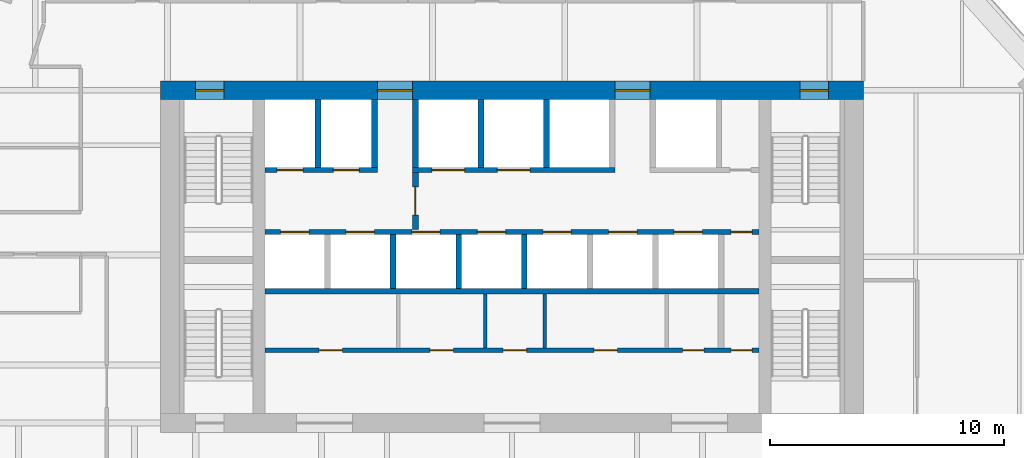
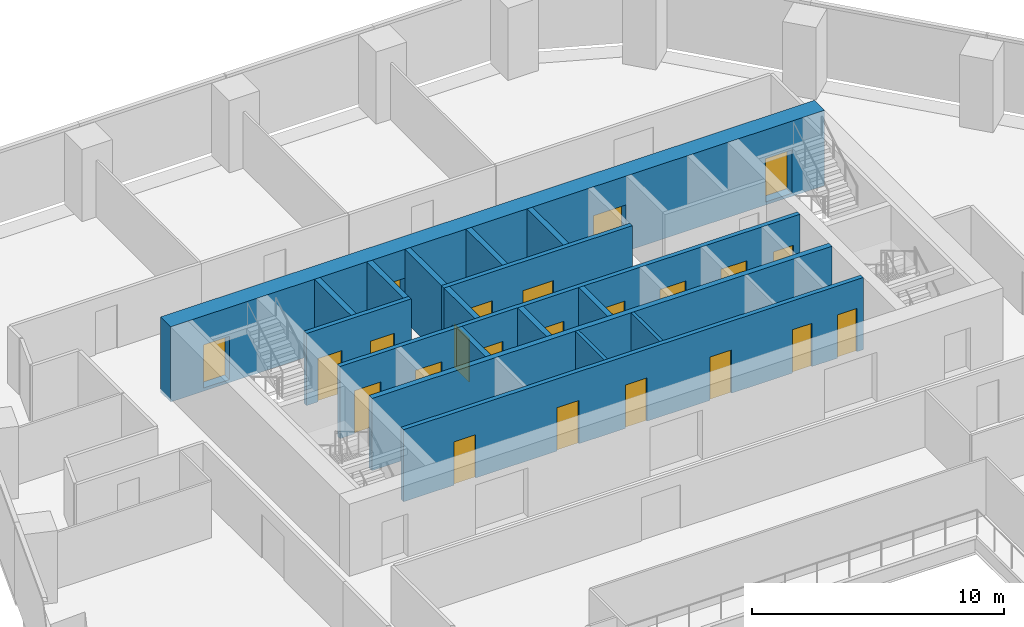
# One storey, part 12 of 16: 23 doors, 17 walls, 23 openings.
"""IFC4 building model written with IfcOpenShell, lengths in metres."""

from ifc_helpers import new_model, si_unit, direction, frame, frame_2d, origin, place, context, subcontext, project, spatial, rectangle, extrude, material, layer, layer_set, type_object, element, fill, save


model = new_model("IFC4")

# Units and contexts
model_context = context("Model", 3, precision=1e-05, world=origin(), true_north=direction((0.0, 1.0)))
body_context = subcontext(model_context, "Body", "Model", "MODEL_VIEW")
ifc_project = project(units=[si_unit("LENGTHUNIT", "METRE"), si_unit("AREAUNIT", "SQUARE_METRE"), si_unit("VOLUMEUNIT", "CUBIC_METRE"), si_unit("PLANEANGLEUNIT", "RADIAN"), si_unit("MASSUNIT", "GRAM", prefix="KILO")], contexts=[model_context])

# Site, building, storey
site_placement = place(None, origin())
site = spatial("IfcSite", under=ifc_project, at=site_placement, CompositionType="ELEMENT")
building_placement = place(site_placement, origin())
building = spatial("IfcBuilding", under=site, at=building_placement, Name="Isthmus Gate Tower", CompositionType="ELEMENT")
storey_placement = place(building_placement, frame((0.0, 0.0, 148.050048828125)))
storey = spatial("IfcBuildingStorey", under=building, at=storey_placement, Name="L36", CompositionType="ELEMENT", Elevation=148.050048828125)

# Wall, opening, door
ifc_material_1 = material(Name="Fire-rated blockwork masonry, 15 MPa", Category="masonry")
ifc_layer_1 = layer(ifc_material_1, 0.25)
ifc_layer_set_1 = layer_set([ifc_layer_1], Name="FIRE-FIGHTING LOBBY WALL 250 90 MIN")
wall_type_1 = type_object("IfcWallType", Name="FIRE-FIGHTING LOBBY WALL 250 90 MIN", PredefinedType="PARTITIONING", material=ifc_layer_set_1)
wall_1_placement = place(storey_placement, frame((-4.125, 8.64990234375, 0.0), z_axis=(0.0, 0.0, 1.0), x_axis=(0.0, 1.0, 0.0)))
wall_1 = element("IfcWall", 1, at=wall_1_placement, inside=storey, type_object=wall_type_1, Name="L36 FIRE-FIGHTING LOBBY WALL 250 90 MIN", PredefinedType="PARTITIONING", context=body_context, shape_type="SweptSolid", body=[
    extrude(rectangle(XDim=2.4501953125, YDim=0.25, at=frame_2d((1.22509765625, 0.0))), origin(), (0.0, 0.0, 1.0), 3.5),
])
opening_1_placement = place(wall_1_placement, frame((0.625, 0.0, 0.0)))
opening_1 = element("IfcOpeningElement", 2, at=opening_1_placement, cuts=wall_1, Name="Opening DC-A11-01", PredefinedType="OPENING", context=body_context, shape_type="SweptSolid", body=[
    extrude(rectangle(XDim=1.199951171875, YDim=2.10009765625, at=frame_2d((0.60009765625, 1.050048828125))), frame((0.0, 0.135009765625, 0.0), z_axis=(0.0, -1.0, 0.0), x_axis=(1.0, 0.0, 0.0)), (0.0, 0.0, 1.0), 0.27001953125),
])
ifc_material_2 = material(Name="Steel door leaf, fire-rated", Category="steel")
door_type_1 = type_object("IfcDoorType", Name="LOBBY FIRE DOOR 1200 X 2100 90 MIN", OperationType="DOUBLE_DOOR_SINGLE_SWING", PredefinedType="DOOR", material=ifc_material_2)
door_1_placement = place(opening_1_placement, origin())
door_1 = element("IfcDoor", 3, at=door_1_placement, inside=storey, type_object=door_type_1, Name="Fire-fighting Lobby Door", OperationType="SINGLE_SWING_LEFT", OverallHeight=2.10009765625, OverallWidth=1.199951171875, PredefinedType="DOOR", context=body_context, shape_type="SweptSolid", body=[
    extrude(rectangle(XDim=1.199951171875, YDim=2.10009765625, at=frame_2d((0.60009765625, 1.050048828125))), frame((0.0, 0.02490234375, 0.0), z_axis=(0.0, -1.0, 0.0), x_axis=(1.0, 0.0, 0.0)), (0.0, 0.0, 1.0), 0.050048828125),
])
fill(opening_1, door_1)

# Wall, openings, doors
ifc_material_3 = material(Name="Concrete f'c 60 MPa", Category="concrete")
ifc_layer_2 = layer(ifc_material_3, 0.800048828125)
ifc_layer_set_2 = layer_set([ifc_layer_2], Name="RC CORE WALL 800 F'C 60")
wall_type_2 = type_object("IfcWallType", Name="RC CORE WALL 800 F'C 60", PredefinedType="SOLIDWALL", material=ifc_layer_set_2)
wall_2_placement = place(storey_placement, frame((-15.0, 14.60009765625, -0.150146484375), z_axis=(0.0, 0.0, 1.0), x_axis=(1.0, 0.0, 0.0)))
wall_2 = element("IfcWall", 4, at=wall_2_placement, inside=storey, type_object=wall_type_2, Name="str-corewall-L36-N", PredefinedType="SOLIDWALL", context=body_context, shape_type="SweptSolid", body=[
    extrude(rectangle(XDim=30.0, YDim=0.800048828125, at=frame_2d((15.0, 0.0))), origin(), (0.0, 0.0, 1.0), 3.650146484375),
])
opening_2_placement = place(wall_2_placement, frame((9.25, 0.0, 0.14990234375)))
opening_2 = element("IfcOpeningElement", 5, at=opening_2_placement, cuts=wall_2, Name="Opening DC-A11-13", PredefinedType="OPENING", context=body_context, shape_type="SweptSolid", body=[
    extrude(rectangle(XDim=1.5, YDim=2.10009765625, at=frame_2d((0.75, 1.050048828125))), frame((0.0, 0.409912109375, 0.0), z_axis=(0.0, -1.0, 0.0), x_axis=(1.0, 0.0, 0.0)), (0.0, 0.0, 1.0), 0.820068359375),
])
opening_3_placement = place(wall_2_placement, frame((19.39990234375, 0.0, 0.14990234375)))
opening_3 = element("IfcOpeningElement", 6, at=opening_3_placement, cuts=wall_2, Name="Opening DC-A11-14", PredefinedType="OPENING", context=body_context, shape_type="SweptSolid", body=[
    extrude(rectangle(XDim=1.5, YDim=2.10009765625, at=frame_2d((0.75, 1.050048828125))), frame((0.0, 0.409912109375, 0.0), z_axis=(0.0, -1.0, 0.0), x_axis=(1.0, 0.0, 0.0)), (0.0, 0.0, 1.0), 0.820068359375),
])
opening_4_placement = place(wall_2_placement, frame((1.5, 0.0, 0.14990234375)))
opening_4 = element("IfcOpeningElement", 7, at=opening_4_placement, cuts=wall_2, Name="Opening DC-A11-15", PredefinedType="OPENING", context=body_context, shape_type="SweptSolid", body=[
    extrude(rectangle(XDim=1.199951171875, YDim=2.10009765625, at=frame_2d((0.60009765625, 1.050048828125))), frame((0.0, 0.409912109375, 0.0), z_axis=(0.0, -1.0, 0.0), x_axis=(1.0, 0.0, 0.0)), (0.0, 0.0, 1.0), 0.820068359375),
])
opening_5_placement = place(wall_2_placement, frame((27.300048828125, 0.0, 0.14990234375)))
opening_5 = element("IfcOpeningElement", 8, at=opening_5_placement, cuts=wall_2, Name="Opening DC-A11-16", PredefinedType="OPENING", context=body_context, shape_type="SweptSolid", body=[
    extrude(rectangle(XDim=1.199951171875, YDim=2.10009765625, at=frame_2d((0.60009765625, 1.050048828125))), frame((0.0, 0.409912109375, 0.0), z_axis=(0.0, -1.0, 0.0), x_axis=(1.0, 0.0, 0.0)), (0.0, 0.0, 1.0), 0.820068359375),
])
ifc_material_4 = material(Name="Steel door leaf, fire-rated", Category="steel")
door_type_2 = type_object("IfcDoorType", Name="LOBBY FIRE DOOR 1500 X 2100 60 MIN", OperationType="DOUBLE_DOOR_SINGLE_SWING", PredefinedType="DOOR", material=ifc_material_4)
door_2_placement = place(opening_3_placement, origin())
door_2 = element("IfcDoor", 9, at=door_2_placement, inside=storey, type_object=door_type_2, Name="Lobby Door PN-E", OperationType="DOUBLE_DOOR_SINGLE_SWING", OverallHeight=2.10009765625, OverallWidth=1.5, PredefinedType="DOOR", context=body_context, shape_type="SweptSolid", body=[
    extrude(rectangle(XDim=1.5, YDim=2.10009765625, at=frame_2d((0.75, 1.050048828125))), frame((0.0, 0.02490234375, 0.0), z_axis=(0.0, -1.0, 0.0), x_axis=(1.0, 0.0, 0.0)), (0.0, 0.0, 1.0), 0.050048828125),
])
fill(opening_3, door_2)
ifc_material_5 = material(Name="Steel door leaf, fire-rated", Category="steel")
door_type_3 = type_object("IfcDoorType", Name="LOBBY FIRE DOOR 1500 X 2100 90 MIN", OperationType="DOUBLE_DOOR_SINGLE_SWING", PredefinedType="DOOR", material=ifc_material_5)
door_3_placement = place(opening_2_placement, origin())
door_3 = element("IfcDoor", 10, at=door_3_placement, inside=storey, type_object=door_type_3, Name="Lobby Door PN-W", OperationType="DOUBLE_DOOR_SINGLE_SWING", OverallHeight=2.10009765625, OverallWidth=1.5, PredefinedType="DOOR", context=body_context, shape_type="SweptSolid", body=[
    extrude(rectangle(XDim=1.5, YDim=2.10009765625, at=frame_2d((0.75, 1.050048828125))), frame((0.0, 0.02490234375, 0.0), z_axis=(0.0, -1.0, 0.0), x_axis=(1.0, 0.0, 0.0)), (0.0, 0.0, 1.0), 0.050048828125),
])
fill(opening_2, door_3)
ifc_material_6 = material(Name="Steel door leaf, fire-rated", Category="steel")
door_type_4 = type_object("IfcDoorType", Name="STAIR FIRE DOOR 1200 X 2100 90 MIN", OperationType="SINGLE_SWING_LEFT", PredefinedType="DOOR", material=ifc_material_6)
door_4_placement = place(opening_4_placement, origin())
door_4 = element("IfcDoor", 11, at=door_4_placement, inside=storey, type_object=door_type_4, Name="Exit Stair 1 Door", OperationType="SINGLE_SWING_RIGHT", OverallHeight=2.10009765625, OverallWidth=1.199951171875, PredefinedType="DOOR", context=body_context, shape_type="SweptSolid", body=[
    extrude(rectangle(XDim=1.199951171875, YDim=2.10009765625, at=frame_2d((0.60009765625, 1.050048828125))), frame((0.0, 0.02490234375, 0.0), z_axis=(0.0, -1.0, 0.0), x_axis=(1.0, 0.0, 0.0)), (0.0, 0.0, 1.0), 0.050048828125),
])
fill(opening_4, door_4)
door_5_placement = place(opening_5_placement, origin())
door_5 = element("IfcDoor", 12, at=door_5_placement, inside=storey, type_object=door_type_4, Name="Exit Stair 2 Door", OperationType="SINGLE_SWING_LEFT", OverallHeight=2.10009765625, OverallWidth=1.199951171875, PredefinedType="DOOR", context=body_context, shape_type="SweptSolid", body=[
    extrude(rectangle(XDim=1.199951171875, YDim=2.10009765625, at=frame_2d((0.60009765625, 1.050048828125))), frame((0.0, 0.02490234375, 0.0), z_axis=(0.0, -1.0, 0.0), x_axis=(1.0, 0.0, 0.0)), (0.0, 0.0, 1.0), 0.050048828125),
])
fill(opening_5, door_5)

# Walls
ifc_material_7 = material(Name="Gypsum board on steel studs, fire-rated", Category="steel")
ifc_layer_3 = layer(ifc_material_7, 0.14990234375)
ifc_layer_set_3 = layer_set([ifc_layer_3], Name="ROOM PARTITION 150 60 MIN")
wall_type_3 = type_object("IfcWallType", Name="ROOM PARTITION 150 60 MIN", PredefinedType="PARTITIONING", material=ifc_layer_set_3)
for number, where, z_axis, x_axis, name in (
    (13, (-1.14990234375, 3.60009765625, 0.0), (0.0, 0.0, 1.0), (0.0, 1.0, 0.0), "L36 ROOM PARTITION 150 60 MIN"),
    (14, (1.39990234375, 3.60009765625, 0.0), (0.0, 0.0, 1.0), (0.0, 1.0, 0.0), "L36 ROOM PARTITION 150 60 MIN"),
):
    element("IfcWall", number, at=place(storey_placement, frame(where, z_axis=z_axis, x_axis=x_axis)), inside=storey, type_object=wall_type_3, Name=name, PredefinedType="PARTITIONING", context=body_context, shape_type="SweptSolid", body=[
        extrude(rectangle(XDim=2.2998046875, YDim=0.14990234375, at=frame_2d((1.14990234375, 0.0))), origin(), (0.0, 0.0, 1.0), 3.5),
    ])

# Wall, openings, doors
ifc_material_8 = material(Name="Fire-rated blockwork masonry, 15 MPa", Category="masonry")
ifc_layer_4 = layer(ifc_material_8, 0.199951171875)
ifc_layer_set_4 = layer_set([ifc_layer_4], Name="SHAFT FRONT WALL 200 120 MIN")
wall_type_4 = type_object("IfcWallType", Name="SHAFT FRONT WALL 200 120 MIN", PredefinedType="PARTITIONING", material=ifc_layer_set_4)
wall_3_placement = place(storey_placement, frame((-10.550048828125, 3.5, 0.0), z_axis=(0.0, 0.0, 1.0), x_axis=(1.0, 0.0, 0.0)))
wall_3 = element("IfcWall", 15, at=wall_3_placement, inside=storey, type_object=wall_type_4, Name="L36 SHAFT FRONT WALL 200 120 MIN", PredefinedType="PARTITIONING", context=body_context, shape_type="SweptSolid", body=[
    extrude(rectangle(XDim=21.10009765625, YDim=0.199951171875, at=frame_2d((10.550048828125, 0.0))), origin(), (0.0, 0.0, 1.0), 3.5),
])
opening_6_placement = place(wall_3_placement, frame((2.3125, 0.0, 0.0)))
opening_6 = element("IfcOpeningElement", 16, at=opening_6_placement, cuts=wall_3, Name="Opening DC-A11-02", PredefinedType="OPENING", context=body_context, shape_type="SweptSolid", body=[
    extrude(rectangle(XDim=1.0, YDim=2.10009765625, at=frame_2d((0.5, 1.050048828125))), frame((0.0, 0.10986328125, 0.0), z_axis=(0.0, -1.0, 0.0), x_axis=(1.0, 0.0, 0.0)), (0.0, 0.0, 1.0), 0.219970703125),
])
opening_7_placement = place(wall_3_placement, frame((7.050048828125, 0.0, 0.0)))
opening_7 = element("IfcOpeningElement", 17, at=opening_7_placement, cuts=wall_3, Name="Opening DC-A11-03", PredefinedType="OPENING", context=body_context, shape_type="SweptSolid", body=[
    extrude(rectangle(XDim=1.0, YDim=2.10009765625, at=frame_2d((0.5, 1.050048828125))), frame((0.0, 0.10986328125, 0.0), z_axis=(0.0, -1.0, 0.0), x_axis=(1.0, 0.0, 0.0)), (0.0, 0.0, 1.0), 0.219970703125),
])
opening_8_placement = place(wall_3_placement, frame((10.175048828125, 0.0, 0.0)))
opening_8 = element("IfcOpeningElement", 18, at=opening_8_placement, cuts=wall_3, Name="Opening DC-A11-04", PredefinedType="OPENING", context=body_context, shape_type="SweptSolid", body=[
    extrude(rectangle(XDim=1.0, YDim=2.10009765625, at=frame_2d((0.5, 1.050048828125))), frame((0.0, 0.10986328125, 0.0), z_axis=(0.0, -1.0, 0.0), x_axis=(1.0, 0.0, 0.0)), (0.0, 0.0, 1.0), 0.219970703125),
])
opening_9_placement = place(wall_3_placement, frame((14.050048828125, 0.0, 0.0)))
opening_9 = element("IfcOpeningElement", 19, at=opening_9_placement, cuts=wall_3, Name="Opening DC-A11-05", PredefinedType="OPENING", context=body_context, shape_type="SweptSolid", body=[
    extrude(rectangle(XDim=1.0, YDim=2.10009765625, at=frame_2d((0.5, 1.050048828125))), frame((0.0, 0.10986328125, 0.0), z_axis=(0.0, -1.0, 0.0), x_axis=(1.0, 0.0, 0.0)), (0.0, 0.0, 1.0), 0.219970703125),
])
opening_10_placement = place(wall_3_placement, frame((17.83740234375, 0.0, 0.0)))
opening_10 = element("IfcOpeningElement", 20, at=opening_10_placement, cuts=wall_3, Name="Opening DC-A11-06", PredefinedType="OPENING", context=body_context, shape_type="SweptSolid", body=[
    extrude(rectangle(XDim=0.89990234375, YDim=2.10009765625, at=frame_2d((0.449951171875, 1.050048828125))), frame((0.0, 0.10986328125, 0.0), z_axis=(0.0, -1.0, 0.0), x_axis=(1.0, 0.0, 0.0)), (0.0, 0.0, 1.0), 0.219970703125),
])
opening_11_placement = place(wall_3_placement, frame((19.89990234375, 0.0, 0.0)))
opening_11 = element("IfcOpeningElement", 21, at=opening_11_placement, cuts=wall_3, Name="Opening DC-A11-07", PredefinedType="OPENING", context=body_context, shape_type="SweptSolid", body=[
    extrude(rectangle(XDim=0.89990234375, YDim=2.10009765625, at=frame_2d((0.449951171875, 1.050048828125))), frame((0.0, 0.10986328125, 0.0), z_axis=(0.0, -1.0, 0.0), x_axis=(1.0, 0.0, 0.0)), (0.0, 0.0, 1.0), 0.219970703125),
])
ifc_material_9 = material(Name="Steel door leaf, fire-rated", Category="steel")
door_type_5 = type_object("IfcDoorType", Name="FIRE DOOR 1000 X 2100 60 MIN", OperationType="SINGLE_SWING_LEFT", PredefinedType="DOOR", material=ifc_material_9)
door_6_placement = place(opening_6_placement, origin())
door_6 = element("IfcDoor", 22, at=door_6_placement, inside=storey, type_object=door_type_5, Name="WC Women Door", OperationType="SINGLE_SWING_LEFT", OverallHeight=2.10009765625, OverallWidth=1.0, PredefinedType="DOOR", context=body_context, shape_type="SweptSolid", body=[
    extrude(rectangle(XDim=1.0, YDim=2.10009765625, at=frame_2d((0.5, 1.050048828125))), frame((0.0, 0.02490234375, 0.0), z_axis=(0.0, -1.0, 0.0), x_axis=(1.0, 0.0, 0.0)), (0.0, 0.0, 1.0), 0.050048828125),
])
fill(opening_6, door_6)
door_7_placement = place(opening_7_placement, origin())
door_7 = element("IfcDoor", 23, at=door_7_placement, inside=storey, type_object=door_type_5, Name="WC Men Door", OperationType="SINGLE_SWING_RIGHT", OverallHeight=2.10009765625, OverallWidth=1.0, PredefinedType="DOOR", context=body_context, shape_type="SweptSolid", body=[
    extrude(rectangle(XDim=1.0, YDim=2.10009765625, at=frame_2d((0.5, 1.050048828125))), frame((0.0, 0.02490234375, 0.0), z_axis=(0.0, -1.0, 0.0), x_axis=(1.0, 0.0, 0.0)), (0.0, 0.0, 1.0), 0.050048828125),
])
fill(opening_7, door_7)
door_8_placement = place(opening_8_placement, origin())
door_8 = element("IfcDoor", 24, at=door_8_placement, inside=storey, type_object=door_type_5, Name="Accessible WC Door", OperationType="SINGLE_SWING_LEFT", OverallHeight=2.10009765625, OverallWidth=1.0, PredefinedType="DOOR", context=body_context, shape_type="SweptSolid", body=[
    extrude(rectangle(XDim=1.0, YDim=2.10009765625, at=frame_2d((0.5, 1.050048828125))), frame((0.0, 0.02490234375, 0.0), z_axis=(0.0, -1.0, 0.0), x_axis=(1.0, 0.0, 0.0)), (0.0, 0.0, 1.0), 0.050048828125),
])
fill(opening_8, door_8)
door_9_placement = place(opening_9_placement, origin())
door_9 = element("IfcDoor", 25, at=door_9_placement, inside=storey, type_object=door_type_5, Name="Pantry Door", OperationType="SINGLE_SWING_RIGHT", OverallHeight=2.10009765625, OverallWidth=1.0, PredefinedType="DOOR", context=body_context, shape_type="SweptSolid", body=[
    extrude(rectangle(XDim=1.0, YDim=2.10009765625, at=frame_2d((0.5, 1.050048828125))), frame((0.0, 0.02490234375, 0.0), z_axis=(0.0, -1.0, 0.0), x_axis=(1.0, 0.0, 0.0)), (0.0, 0.0, 1.0), 0.050048828125),
])
fill(opening_9, door_9)
ifc_material_10 = material(Name="Steel door leaf, fire-rated", Category="steel")
door_type_6 = type_object("IfcDoorType", Name="FIRE DOOR 900 X 2100 60 MIN", OperationType="SINGLE_SWING_LEFT", PredefinedType="DOOR", material=ifc_material_10)
door_10_placement = place(opening_10_placement, origin())
door_10 = element("IfcDoor", 26, at=door_10_placement, inside=storey, type_object=door_type_6, Name="IT Room Door", OperationType="SINGLE_SWING_LEFT", OverallHeight=2.10009765625, OverallWidth=0.89990234375, PredefinedType="DOOR", context=body_context, shape_type="SweptSolid", body=[
    extrude(rectangle(XDim=0.89990234375, YDim=2.10009765625, at=frame_2d((0.449951171875, 1.050048828125))), frame((0.0, 0.02490234375, 0.0), z_axis=(0.0, -1.0, 0.0), x_axis=(1.0, 0.0, 0.0)), (0.0, 0.0, 1.0), 0.050048828125),
])
fill(opening_10, door_10)
ifc_material_11 = material(Name="Steel door leaf, fire-rated", Category="steel")
door_type_7 = type_object("IfcDoorType", Name="RISER FIRE DOOR 900 X 2100 90 MIN", OperationType="SINGLE_SWING_LEFT", PredefinedType="DOOR", material=ifc_material_11)
door_11_placement = place(opening_11_placement, origin())
door_11 = element("IfcDoor", 27, at=door_11_placement, inside=storey, type_object=door_type_7, Name="Riser Door", OperationType="SINGLE_SWING_RIGHT", OverallHeight=2.10009765625, OverallWidth=0.89990234375, PredefinedType="DOOR", context=body_context, shape_type="SweptSolid", body=[
    extrude(rectangle(XDim=0.89990234375, YDim=2.10009765625, at=frame_2d((0.449951171875, 1.050048828125))), frame((0.0, 0.02490234375, 0.0), z_axis=(0.0, -1.0, 0.0), x_axis=(1.0, 0.0, 0.0)), (0.0, 0.0, 1.0), 0.050048828125),
])
fill(opening_11, door_11)

wall_4_placement = place(storey_placement, frame((-10.550048828125, 8.550048828125, 0.0), z_axis=(0.0, 0.0, 1.0), x_axis=(1.0, 0.0, 0.0)))
wall_4 = element("IfcWall", 28, at=wall_4_placement, inside=storey, type_object=wall_type_4, Name="L36 SHAFT FRONT WALL 200 120 MIN", PredefinedType="PARTITIONING", context=body_context, shape_type="SweptSolid", body=[
    extrude(rectangle(XDim=21.10009765625, YDim=0.199951171875, at=frame_2d((10.550048828125, 0.0))), origin(), (0.0, 0.0, 1.0), 3.5),
])
opening_12_placement = place(wall_4_placement, frame((0.675048828125, 0.0, 0.0)))
opening_12 = element("IfcOpeningElement", 29, at=opening_12_placement, cuts=wall_4, Name="Opening LD-LB1", PredefinedType="OPENING", context=body_context, shape_type="SweptSolid", body=[
    extrude(rectangle(XDim=1.199951171875, YDim=2.10009765625, at=frame_2d((0.60009765625, 1.050048828125))), frame((0.0, 0.10986328125, 0.0), z_axis=(0.0, -1.0, 0.0), x_axis=(1.0, 0.0, 0.0)), (0.0, 0.0, 1.0), 0.219970703125),
])
opening_13_placement = place(wall_4_placement, frame((3.47509765625, 0.0, 0.0)))
opening_13 = element("IfcOpeningElement", 30, at=opening_13_placement, cuts=wall_4, Name="Opening LD-LB2", PredefinedType="OPENING", context=body_context, shape_type="SweptSolid", body=[
    extrude(rectangle(XDim=1.199951171875, YDim=2.10009765625, at=frame_2d((0.60009765625, 1.050048828125))), frame((0.0, 0.10986328125, 0.0), z_axis=(0.0, -1.0, 0.0), x_axis=(1.0, 0.0, 0.0)), (0.0, 0.0, 1.0), 0.219970703125),
])
opening_14_placement = place(wall_4_placement, frame((6.27490234375, 0.0, 0.0)))
opening_14 = element("IfcOpeningElement", 31, at=opening_14_placement, cuts=wall_4, Name="Opening LD-LB3", PredefinedType="OPENING", context=body_context, shape_type="SweptSolid", body=[
    extrude(rectangle(XDim=1.199951171875, YDim=2.10009765625, at=frame_2d((0.60009765625, 1.050048828125))), frame((0.0, 0.10986328125, 0.0), z_axis=(0.0, -1.0, 0.0), x_axis=(1.0, 0.0, 0.0)), (0.0, 0.0, 1.0), 0.219970703125),
])
opening_15_placement = place(wall_4_placement, frame((9.074951171875, 0.0, 0.0)))
opening_15 = element("IfcOpeningElement", 32, at=opening_15_placement, cuts=wall_4, Name="Opening LD-LB4", PredefinedType="OPENING", context=body_context, shape_type="SweptSolid", body=[
    extrude(rectangle(XDim=1.199951171875, YDim=2.10009765625, at=frame_2d((0.60009765625, 1.050048828125))), frame((0.0, 0.10986328125, 0.0), z_axis=(0.0, -1.0, 0.0), x_axis=(1.0, 0.0, 0.0)), (0.0, 0.0, 1.0), 0.219970703125),
])
opening_16_placement = place(wall_4_placement, frame((11.875, 0.0, 0.0)))
opening_16 = element("IfcOpeningElement", 33, at=opening_16_placement, cuts=wall_4, Name="Opening LD-LB5", PredefinedType="OPENING", context=body_context, shape_type="SweptSolid", body=[
    extrude(rectangle(XDim=1.199951171875, YDim=2.10009765625, at=frame_2d((0.60009765625, 1.050048828125))), frame((0.0, 0.10986328125, 0.0), z_axis=(0.0, -1.0, 0.0), x_axis=(1.0, 0.0, 0.0)), (0.0, 0.0, 1.0), 0.219970703125),
])
opening_17_placement = place(wall_4_placement, frame((14.675048828125, 0.0, 0.0)))
opening_17 = element("IfcOpeningElement", 34, at=opening_17_placement, cuts=wall_4, Name="Opening LD-LB6", PredefinedType="OPENING", context=body_context, shape_type="SweptSolid", body=[
    extrude(rectangle(XDim=1.199951171875, YDim=2.10009765625, at=frame_2d((0.60009765625, 1.050048828125))), frame((0.0, 0.10986328125, 0.0), z_axis=(0.0, -1.0, 0.0), x_axis=(1.0, 0.0, 0.0)), (0.0, 0.0, 1.0), 0.219970703125),
])
opening_18_placement = place(wall_4_placement, frame((17.47509765625, 0.0, 0.0)))
opening_18 = element("IfcOpeningElement", 35, at=opening_18_placement, cuts=wall_4, Name="Opening LD-LB7", PredefinedType="OPENING", context=body_context, shape_type="SweptSolid", body=[
    extrude(rectangle(XDim=1.199951171875, YDim=2.10009765625, at=frame_2d((0.60009765625, 1.050048828125))), frame((0.0, 0.10986328125, 0.0), z_axis=(0.0, -1.0, 0.0), x_axis=(1.0, 0.0, 0.0)), (0.0, 0.0, 1.0), 0.219970703125),
])
opening_19_placement = place(wall_4_placement, frame((19.89990234375, 0.0, 0.0)))
opening_19 = element("IfcOpeningElement", 36, at=opening_19_placement, cuts=wall_4, Name="Opening DC-A11-08", PredefinedType="OPENING", context=body_context, shape_type="SweptSolid", body=[
    extrude(rectangle(XDim=0.89990234375, YDim=2.10009765625, at=frame_2d((0.449951171875, 1.050048828125))), frame((0.0, 0.10986328125, 0.0), z_axis=(0.0, -1.0, 0.0), x_axis=(1.0, 0.0, 0.0)), (0.0, 0.0, 1.0), 0.219970703125),
])
ifc_material_12 = material(Name="Stainless steel sliding leaf", Category="steel")
door_type_8 = type_object("IfcDoorType", Name="LIFT LANDING FIRE DOOR 1200 X 2100 90 MIN", OperationType="DOUBLE_DOOR_SLIDING", PredefinedType="DOOR", material=ifc_material_12)
door_12_placement = place(opening_12_placement, origin())
door_12 = element("IfcDoor", 37, at=door_12_placement, inside=storey, type_object=door_type_8, Name="Lift Landing Door LB1", OperationType="DOUBLE_DOOR_SLIDING", OverallHeight=2.10009765625, OverallWidth=1.199951171875, PredefinedType="DOOR", context=body_context, shape_type="SweptSolid", body=[
    extrude(rectangle(XDim=1.199951171875, YDim=2.10009765625, at=frame_2d((0.60009765625, 1.050048828125))), frame((0.0, 0.02490234375, 0.0), z_axis=(0.0, -1.0, 0.0), x_axis=(1.0, 0.0, 0.0)), (0.0, 0.0, 1.0), 0.050048828125),
])
fill(opening_12, door_12)
door_13_placement = place(opening_13_placement, origin())
door_13 = element("IfcDoor", 38, at=door_13_placement, inside=storey, type_object=door_type_8, Name="Lift Landing Door LB2", OperationType="DOUBLE_DOOR_SLIDING", OverallHeight=2.10009765625, OverallWidth=1.199951171875, PredefinedType="DOOR", context=body_context, shape_type="SweptSolid", body=[
    extrude(rectangle(XDim=1.199951171875, YDim=2.10009765625, at=frame_2d((0.60009765625, 1.050048828125))), frame((0.0, 0.02490234375, 0.0), z_axis=(0.0, -1.0, 0.0), x_axis=(1.0, 0.0, 0.0)), (0.0, 0.0, 1.0), 0.050048828125),
])
fill(opening_13, door_13)
door_14_placement = place(opening_14_placement, origin())
door_14 = element("IfcDoor", 39, at=door_14_placement, inside=storey, type_object=door_type_8, Name="Lift Landing Door LB3", OperationType="DOUBLE_DOOR_SLIDING", OverallHeight=2.10009765625, OverallWidth=1.199951171875, PredefinedType="DOOR", context=body_context, shape_type="SweptSolid", body=[
    extrude(rectangle(XDim=1.199951171875, YDim=2.10009765625, at=frame_2d((0.60009765625, 1.050048828125))), frame((0.0, 0.02490234375, 0.0), z_axis=(0.0, -1.0, 0.0), x_axis=(1.0, 0.0, 0.0)), (0.0, 0.0, 1.0), 0.050048828125),
])
fill(opening_14, door_14)
door_15_placement = place(opening_15_placement, origin())
door_15 = element("IfcDoor", 40, at=door_15_placement, inside=storey, type_object=door_type_8, Name="Lift Landing Door LB4", OperationType="DOUBLE_DOOR_SLIDING", OverallHeight=2.10009765625, OverallWidth=1.199951171875, PredefinedType="DOOR", context=body_context, shape_type="SweptSolid", body=[
    extrude(rectangle(XDim=1.199951171875, YDim=2.10009765625, at=frame_2d((0.60009765625, 1.050048828125))), frame((0.0, 0.02490234375, 0.0), z_axis=(0.0, -1.0, 0.0), x_axis=(1.0, 0.0, 0.0)), (0.0, 0.0, 1.0), 0.050048828125),
])
fill(opening_15, door_15)
door_16_placement = place(opening_16_placement, origin())
door_16 = element("IfcDoor", 41, at=door_16_placement, inside=storey, type_object=door_type_8, Name="Lift Landing Door LB5", OperationType="DOUBLE_DOOR_SLIDING", OverallHeight=2.10009765625, OverallWidth=1.199951171875, PredefinedType="DOOR", context=body_context, shape_type="SweptSolid", body=[
    extrude(rectangle(XDim=1.199951171875, YDim=2.10009765625, at=frame_2d((0.60009765625, 1.050048828125))), frame((0.0, 0.02490234375, 0.0), z_axis=(0.0, -1.0, 0.0), x_axis=(1.0, 0.0, 0.0)), (0.0, 0.0, 1.0), 0.050048828125),
])
fill(opening_16, door_16)
door_17_placement = place(opening_17_placement, origin())
door_17 = element("IfcDoor", 42, at=door_17_placement, inside=storey, type_object=door_type_8, Name="Lift Landing Door LB6", OperationType="DOUBLE_DOOR_SLIDING", OverallHeight=2.10009765625, OverallWidth=1.199951171875, PredefinedType="DOOR", context=body_context, shape_type="SweptSolid", body=[
    extrude(rectangle(XDim=1.199951171875, YDim=2.10009765625, at=frame_2d((0.60009765625, 1.050048828125))), frame((0.0, 0.02490234375, 0.0), z_axis=(0.0, -1.0, 0.0), x_axis=(1.0, 0.0, 0.0)), (0.0, 0.0, 1.0), 0.050048828125),
])
fill(opening_17, door_17)
door_18_placement = place(opening_18_placement, origin())
door_18 = element("IfcDoor", 43, at=door_18_placement, inside=storey, type_object=door_type_8, Name="Lift Landing Door LB7", OperationType="DOUBLE_DOOR_SLIDING", OverallHeight=2.10009765625, OverallWidth=1.199951171875, PredefinedType="DOOR", context=body_context, shape_type="SweptSolid", body=[
    extrude(rectangle(XDim=1.199951171875, YDim=2.10009765625, at=frame_2d((0.60009765625, 1.050048828125))), frame((0.0, 0.02490234375, 0.0), z_axis=(0.0, -1.0, 0.0), x_axis=(1.0, 0.0, 0.0)), (0.0, 0.0, 1.0), 0.050048828125),
])
fill(opening_18, door_18)
door_19_placement = place(opening_19_placement, origin())
door_19 = element("IfcDoor", 44, at=door_19_placement, inside=storey, type_object=door_type_7, Name="Riser Door", OperationType="SINGLE_SWING_RIGHT", OverallHeight=2.10009765625, OverallWidth=0.89990234375, PredefinedType="DOOR", context=body_context, shape_type="SweptSolid", body=[
    extrude(rectangle(XDim=0.89990234375, YDim=2.10009765625, at=frame_2d((0.449951171875, 1.050048828125))), frame((0.0, 0.02490234375, 0.0), z_axis=(0.0, -1.0, 0.0), x_axis=(1.0, 0.0, 0.0)), (0.0, 0.0, 1.0), 0.050048828125),
])
fill(opening_19, door_19)

wall_5_placement = place(storey_placement, frame((-10.550048828125, 11.199951171875, 0.0), z_axis=(0.0, 0.0, 1.0), x_axis=(1.0, 0.0, 0.0)))
wall_5 = element("IfcWall", 45, at=wall_5_placement, inside=storey, type_object=wall_type_4, Name="L36 SHAFT FRONT WALL 200 120 MIN", PredefinedType="PARTITIONING", context=body_context, shape_type="SweptSolid", body=[
    extrude(rectangle(XDim=4.800048828125, YDim=0.199951171875, at=frame_2d((2.39990234375, 0.0))), origin(), (0.0, 0.0, 1.0), 3.5),
])
opening_20_placement = place(wall_5_placement, frame((0.52490234375, 0.0, 0.0)))
opening_20 = element("IfcOpeningElement", 46, at=opening_20_placement, cuts=wall_5, Name="Opening LD-LF1", PredefinedType="OPENING", context=body_context, shape_type="SweptSolid", body=[
    extrude(rectangle(XDim=1.10009765625, YDim=2.10009765625, at=frame_2d((0.550048828125, 1.050048828125))), frame((0.0, 0.10986328125, 0.0), z_axis=(0.0, -1.0, 0.0), x_axis=(1.0, 0.0, 0.0)), (0.0, 0.0, 1.0), 0.219970703125),
])
opening_21_placement = place(wall_5_placement, frame((2.925048828125, 0.0, 0.0)))
opening_21 = element("IfcOpeningElement", 47, at=opening_21_placement, cuts=wall_5, Name="Opening LD-LF2", PredefinedType="OPENING", context=body_context, shape_type="SweptSolid", body=[
    extrude(rectangle(XDim=1.10009765625, YDim=2.10009765625, at=frame_2d((0.550048828125, 1.050048828125))), frame((0.0, 0.10986328125, 0.0), z_axis=(0.0, -1.0, 0.0), x_axis=(1.0, 0.0, 0.0)), (0.0, 0.0, 1.0), 0.219970703125),
])
ifc_material_13 = material(Name="Stainless steel sliding leaf", Category="steel")
door_type_9 = type_object("IfcDoorType", Name="LIFT LANDING FIRE DOOR 1100 X 2100 90 MIN", OperationType="DOUBLE_DOOR_SLIDING", PredefinedType="DOOR", material=ifc_material_13)
door_20_placement = place(opening_20_placement, origin())
door_20 = element("IfcDoor", 48, at=door_20_placement, inside=storey, type_object=door_type_9, Name="Lift Landing Door LF1", OperationType="DOUBLE_DOOR_SLIDING", OverallHeight=2.10009765625, OverallWidth=1.10009765625, PredefinedType="DOOR", context=body_context, shape_type="SweptSolid", body=[
    extrude(rectangle(XDim=1.10009765625, YDim=2.10009765625, at=frame_2d((0.550048828125, 1.050048828125))), frame((0.0, 0.02490234375, 0.0), z_axis=(0.0, -1.0, 0.0), x_axis=(1.0, 0.0, 0.0)), (0.0, 0.0, 1.0), 0.050048828125),
])
fill(opening_20, door_20)
door_21_placement = place(opening_21_placement, origin())
door_21 = element("IfcDoor", 49, at=door_21_placement, inside=storey, type_object=door_type_9, Name="Lift Landing Door LF2", OperationType="DOUBLE_DOOR_SLIDING", OverallHeight=2.10009765625, OverallWidth=1.10009765625, PredefinedType="DOOR", context=body_context, shape_type="SweptSolid", body=[
    extrude(rectangle(XDim=1.10009765625, YDim=2.10009765625, at=frame_2d((0.550048828125, 1.050048828125))), frame((0.0, 0.02490234375, 0.0), z_axis=(0.0, -1.0, 0.0), x_axis=(1.0, 0.0, 0.0)), (0.0, 0.0, 1.0), 0.050048828125),
])
fill(opening_21, door_21)

wall_6_placement = place(storey_placement, frame((-4.25, 11.199951171875, 0.0), z_axis=(0.0, 0.0, 1.0), x_axis=(1.0, 0.0, 0.0)))
wall_6 = element("IfcWall", 50, at=wall_6_placement, inside=storey, type_object=wall_type_4, Name="L36 SHAFT FRONT WALL 200 120 MIN", PredefinedType="PARTITIONING", context=body_context, shape_type="SweptSolid", body=[
    extrude(rectangle(XDim=8.64990234375, YDim=0.199951171875, at=frame_2d((4.324951171875, 0.0))), origin(), (0.0, 0.0, 1.0), 3.5),
])
opening_22_placement = place(wall_6_placement, frame((0.824951171875, 0.0, 0.0)))
opening_22 = element("IfcOpeningElement", 51, at=opening_22_placement, cuts=wall_6, Name="Opening LD-LV1", PredefinedType="OPENING", context=body_context, shape_type="SweptSolid", body=[
    extrude(rectangle(XDim=1.39990234375, YDim=2.10009765625, at=frame_2d((0.699951171875, 1.050048828125))), frame((0.0, 0.10986328125, 0.0), z_axis=(0.0, -1.0, 0.0), x_axis=(1.0, 0.0, 0.0)), (0.0, 0.0, 1.0), 0.219970703125),
])
opening_23_placement = place(wall_6_placement, frame((3.625, 0.0, 0.0)))
opening_23 = element("IfcOpeningElement", 52, at=opening_23_placement, cuts=wall_6, Name="Opening LD-LV2", PredefinedType="OPENING", context=body_context, shape_type="SweptSolid", body=[
    extrude(rectangle(XDim=1.39990234375, YDim=2.10009765625, at=frame_2d((0.699951171875, 1.050048828125))), frame((0.0, 0.10986328125, 0.0), z_axis=(0.0, -1.0, 0.0), x_axis=(1.0, 0.0, 0.0)), (0.0, 0.0, 1.0), 0.219970703125),
])
ifc_material_14 = material(Name="Stainless steel sliding leaf", Category="steel")
door_type_10 = type_object("IfcDoorType", Name="LIFT LANDING FIRE DOOR 1400 X 2100 90 MIN", OperationType="DOUBLE_DOOR_SLIDING", PredefinedType="DOOR", material=ifc_material_14)
door_22_placement = place(opening_22_placement, origin())
door_22 = element("IfcDoor", 53, at=door_22_placement, inside=storey, type_object=door_type_10, Name="Lift Landing Door LV1", OperationType="DOUBLE_DOOR_SLIDING", OverallHeight=2.10009765625, OverallWidth=1.39990234375, PredefinedType="DOOR", context=body_context, shape_type="SweptSolid", body=[
    extrude(rectangle(XDim=1.39990234375, YDim=2.10009765625, at=frame_2d((0.699951171875, 1.050048828125))), frame((0.0, 0.02490234375, 0.0), z_axis=(0.0, -1.0, 0.0), x_axis=(1.0, 0.0, 0.0)), (0.0, 0.0, 1.0), 0.050048828125),
])
fill(opening_22, door_22)
door_23_placement = place(opening_23_placement, origin())
door_23 = element("IfcDoor", 54, at=door_23_placement, inside=storey, type_object=door_type_10, Name="Lift Landing Door LV2", OperationType="DOUBLE_DOOR_SLIDING", OverallHeight=2.10009765625, OverallWidth=1.39990234375, PredefinedType="DOOR", context=body_context, shape_type="SweptSolid", body=[
    extrude(rectangle(XDim=1.39990234375, YDim=2.10009765625, at=frame_2d((0.699951171875, 1.050048828125))), frame((0.0, 0.02490234375, 0.0), z_axis=(0.0, -1.0, 0.0), x_axis=(1.0, 0.0, 0.0)), (0.0, 0.0, 1.0), 0.050048828125),
])
fill(opening_23, door_23)

# Walls
ifc_material_15 = material(Name="Fire-rated blockwork masonry, 15 MPa", Category="masonry")
ifc_layer_5 = layer(ifc_material_15, 0.25)
ifc_layer_set_5 = layer_set([ifc_layer_5], Name="SHAFT WALL 250 120 MIN")
wall_type_5 = type_object("IfcWallType", Name="SHAFT WALL 250 120 MIN", PredefinedType="PARTITIONING", material=ifc_layer_set_5)
wall_7_placement = place(storey_placement, frame((-10.550048828125, 6.02490234375, 0.0), z_axis=(0.0, 0.0, 1.0), x_axis=(1.0, 0.0, 0.0)))
element("IfcWall", 55, at=wall_7_placement, inside=storey, type_object=wall_type_5, Name="L36 SHAFT WALL 250 120 MIN", PredefinedType="PARTITIONING", context=body_context, shape_type="SweptSolid", body=[
    extrude(rectangle(XDim=21.10009765625, YDim=0.25, at=frame_2d((10.550048828125, 0.0))), origin(), (0.0, 0.0, 1.0), 3.5),
])
for number, where, z_axis, x_axis, name in (
    (56, (-5.074951171875, 6.14990234375, 0.0), (0.0, 0.0, 1.0), (0.0, 1.0, 0.0), "L36 SHAFT WALL 250 120 MIN"),
    (57, (-2.27490234375, 6.14990234375, 0.0), (0.0, 0.0, 1.0), (0.0, 1.0, 0.0), "L36 SHAFT WALL 250 120 MIN"),
    (58, (0.52490234375, 6.14990234375, 0.0), (0.0, 0.0, 1.0), (0.0, 1.0, 0.0), "L36 SHAFT WALL 250 120 MIN"),
):
    element("IfcWall", number, at=place(storey_placement, frame(where, z_axis=z_axis, x_axis=x_axis)), inside=storey, type_object=wall_type_5, Name=name, PredefinedType="PARTITIONING", context=body_context, shape_type="SweptSolid", body=[
        extrude(rectangle(XDim=2.300048828125, YDim=0.25, at=frame_2d((1.14990234375, 0.0))), origin(), (0.0, 0.0, 1.0), 3.5),
    ])
for number, where, z_axis, x_axis, name in (
    (59, (-8.27490234375, 11.300048828125, 0.0), (0.0, 0.0, 1.0), (0.0, 1.0, 0.0), "L36 SHAFT WALL 250 120 MIN"),
    (60, (-5.875, 11.300048828125, 0.0), (0.0, 0.0, 1.0), (0.0, 1.0, 0.0), "L36 SHAFT WALL 250 120 MIN"),
    (61, (-4.125, 11.300048828125, 0.0), (0.0, 0.0, 1.0), (0.0, 1.0, 0.0), "L36 SHAFT WALL 250 120 MIN"),
    (62, (-1.324951171875, 11.300048828125, 0.0), (0.0, 0.0, 1.0), (0.0, 1.0, 0.0), "L36 SHAFT WALL 250 120 MIN"),
    (63, (1.47509765625, 11.300048828125, 0.0), (0.0, 0.0, 1.0), (0.0, 1.0, 0.0), "L36 SHAFT WALL 250 120 MIN"),
):
    element("IfcWall", number, at=place(storey_placement, frame(where, z_axis=z_axis, x_axis=x_axis)), inside=storey, type_object=wall_type_5, Name=name, PredefinedType="PARTITIONING", context=body_context, shape_type="SweptSolid", body=[
        extrude(rectangle(XDim=2.89990234375, YDim=0.25, at=frame_2d((1.449951171875, 0.0))), origin(), (0.0, 0.0, 1.0), 3.5),
    ])

save(model, "model.ifc")
